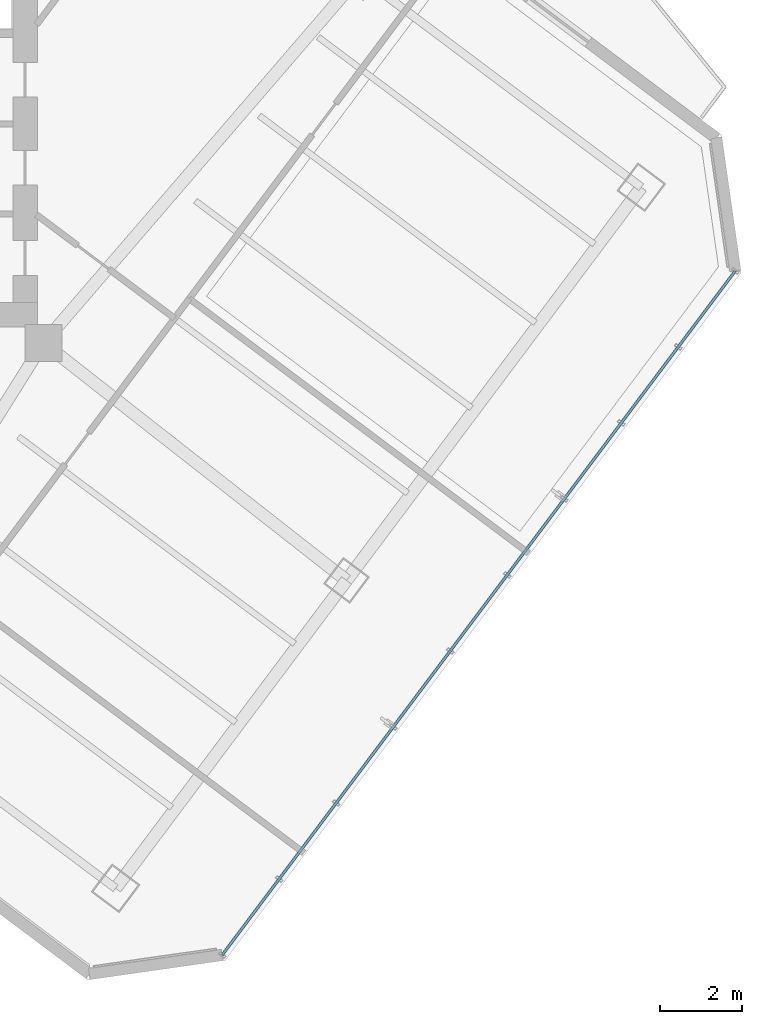
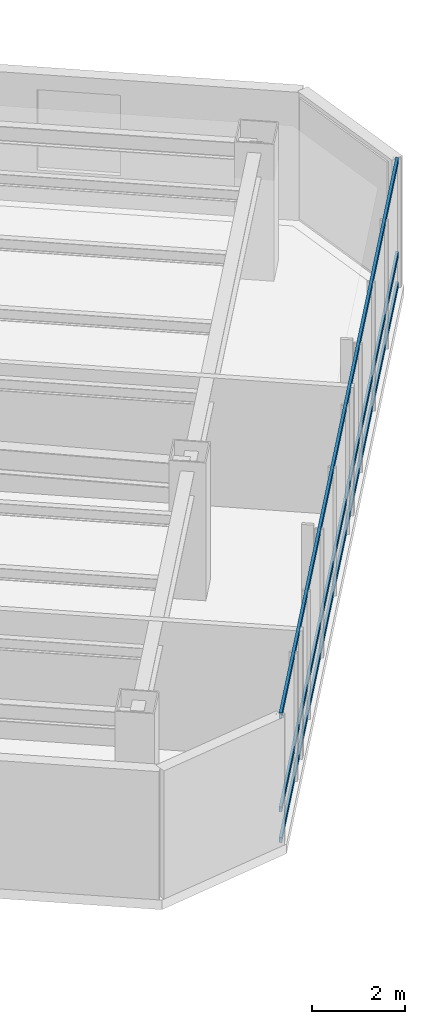
# One storey, part 12 of 28: 3 members, 1 element without a shape of its own.
"""IFC4 building model written with IfcOpenShell, lengths in metres."""

from ifc_helpers import new_model, si_unit, direction, frame, origin, origin_2d, place, context, subcontext, project, spatial, hollow_rectangle, extrude, material, layer, layer_set, material_profile, profile_set, type_object, element, aggregate, save


model = new_model("IFC4")

# Units and contexts
model_context = context("Model", 3, precision=1e-05, world=origin(), true_north=direction((0.0, 1.0)))
body_context = subcontext(model_context, "Body", "Model", "MODEL_VIEW")
ifc_project = project(units=[si_unit("LENGTHUNIT", "METRE"), si_unit("AREAUNIT", "SQUARE_METRE"), si_unit("VOLUMEUNIT", "CUBIC_METRE"), si_unit("PLANEANGLEUNIT", "RADIAN"), si_unit("MASSUNIT", "GRAM", prefix="KILO")], contexts=[model_context])

# Site, building, storey
site_placement = place(None, origin())
site = spatial("IfcSite", under=ifc_project, at=site_placement, CompositionType="ELEMENT")
building_placement = place(site_placement, origin())
building = spatial("IfcBuilding", under=site, at=building_placement, Name="Hatsunagi Terrace Concourse", CompositionType="ELEMENT")
storey_placement = place(building_placement, frame((0.0, 0.0, 138.449951171875)))
storey = spatial("IfcBuildingStorey", under=building, at=storey_placement, Name="L36", CompositionType="ELEMENT", Elevation=138.449951171875)

# Curtain wall, members
ifc_material_1 = material(Name="Anodised Aluminium Alloy 6063-T5", Category="aluminium")
ifc_layer = layer(ifc_material_1, 0.199951171875)
ifc_layer_set = layer_set([ifc_layer], Name="OfficeZone1_CW03")
curtain_wall_type = type_object("IfcCurtainWallType", Name="OfficeZone1_CW03", PredefinedType="NOTDEFINED", material=ifc_layer_set)
curtain_wall_placement = place(storey_placement, origin())
curtain_wall = element("IfcCurtainWall", 1, at=curtain_wall_placement, inside=storey, type_object=curtain_wall_type, Name="Unitised Curtain Wall CW-03 CW-L36-03", PredefinedType="NOTDEFINED")
ifc_material_2 = material(Name="Anodised Aluminium Alloy 6063-T5", Category="aluminium")
ifc_material_profile = material_profile(ifc_material_2, hollow_rectangle(XDim=0.06494140625, YDim=0.139892578125, WallThickness=0.00390625, at=origin_2d()), Name="ALU-TRN-140x65x4")
ifc_profile_set = profile_set([ifc_material_profile], Name="Anodised Aluminium Alloy 6063-T5")
member_type = type_object("IfcMemberType", Name="CurtainWallTransom_140x65", PredefinedType="USERDEFINED", material=ifc_profile_set)
member_1_placement = place(storey_placement, frame((60.693115234375, 25.9580078125, 0.050048828125), z_axis=(-0.599970072971, -0.800022444397, 0.0), x_axis=(0.800022444397, -0.599970072971, 0.0)))
member_1 = element("IfcMember", 2, at=member_1_placement, type_object=member_type, Name="Curtain Wall Transom TRN-02", ObjectType="TRANSOM", PredefinedType="USERDEFINED", context=body_context, shape_type="SweptSolid", body=[
    extrude(hollow_rectangle(XDim=0.06494140625, YDim=0.139892578125, WallThickness=0.00390625, at=origin_2d()), origin(), (0.0, 0.0, 1.0), 20.884521484375),
])
member_2_placement = place(storey_placement, frame((60.693115234375, 25.9580078125, 0.85009765625), z_axis=(-0.599970072971, -0.800022444397, 0.0), x_axis=(0.800022444397, -0.599970072971, 0.0)))
member_2 = element("IfcMember", 3, at=member_2_placement, type_object=member_type, Name="Curtain Wall Transom TRN-02", ObjectType="TRANSOM", PredefinedType="USERDEFINED", context=body_context, shape_type="SweptSolid", body=[
    extrude(hollow_rectangle(XDim=0.06494140625, YDim=0.139892578125, WallThickness=0.00390625, at=origin_2d()), origin(), (0.0, 0.0, 1.0), 20.884521484375),
])
member_3_placement = place(storey_placement, frame((60.693115234375, 25.9580078125, 3.300048828125), z_axis=(-0.599970072971, -0.800022444397, 0.0), x_axis=(0.800022444397, -0.599970072971, 0.0)))
member_3 = element("IfcMember", 4, at=member_3_placement, type_object=member_type, Name="Curtain Wall Transom TRN-02", ObjectType="TRANSOM", PredefinedType="USERDEFINED", context=body_context, shape_type="SweptSolid", body=[
    extrude(hollow_rectangle(XDim=0.06494140625, YDim=0.139892578125, WallThickness=0.00390625, at=origin_2d()), origin(), (0.0, 0.0, 1.0), 20.884521484375),
])
aggregate(curtain_wall, [member_1, member_2, member_3])

save(model, "model.ifc")
